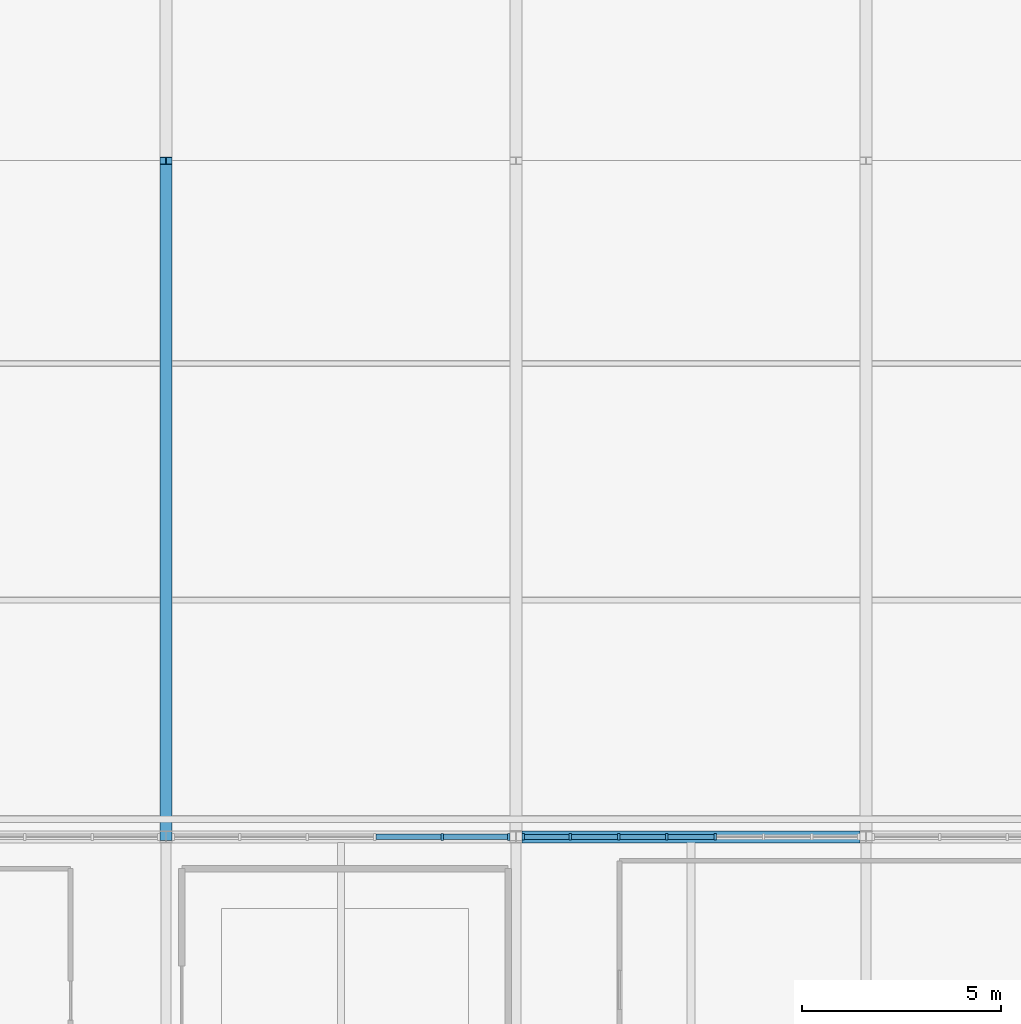
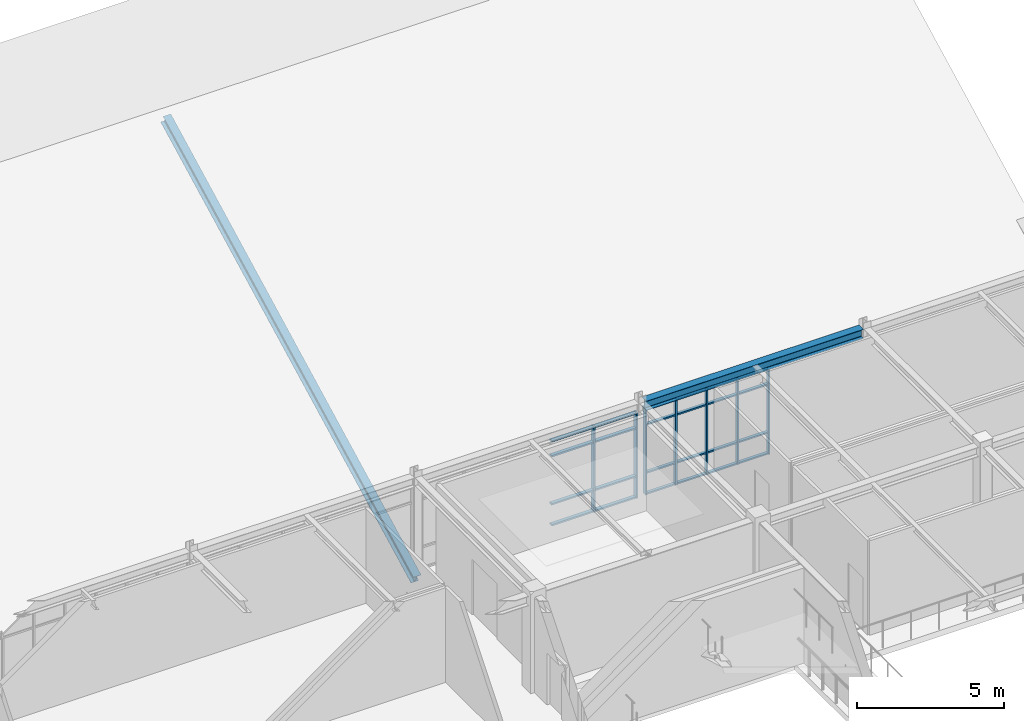
# One storey, part 17 of 45: 32 members, 1 beam, 2 elements without a shape of their own.
"""IFC4 building model written with IfcOpenShell, lengths in metres."""

from ifc_helpers import new_model, si_unit, direction, frame, origin, origin_2d, place, context, subcontext, project, spatial, rectangle, i_section, extrude, material, material_profile, profile_set, type_object, element, aggregate, save


model = new_model("IFC4")

# Units and contexts
model_context = context("Model", 3, precision=1e-05, world=origin(), true_north=direction((0.0, 1.0)))
body_context = subcontext(model_context, "Body", "Model", "MODEL_VIEW")
ifc_project = project(units=[si_unit("LENGTHUNIT", "METRE"), si_unit("AREAUNIT", "SQUARE_METRE"), si_unit("VOLUMEUNIT", "CUBIC_METRE"), si_unit("PLANEANGLEUNIT", "RADIAN"), si_unit("MASSUNIT", "GRAM", prefix="KILO")], contexts=[model_context])

# Site, building, storey
site_placement = place(None, origin())
site = spatial("IfcSite", under=ifc_project, at=site_placement, CompositionType="ELEMENT")
building_placement = place(site_placement, origin())
building = spatial("IfcBuilding", under=site, at=building_placement, Name="Zhaolan Boulevard Law Courts", CompositionType="ELEMENT")
storey_placement = place(building_placement, frame((0.0, 0.0, 24.60009765625)))
storey = spatial("IfcBuildingStorey", under=building, at=storey_placement, Name="L05", CompositionType="ELEMENT", Elevation=24.60009765625)

# Curtain wall, members
ifc_material_1 = material(Name="Thermally broken aluminium and low-E glazing", Category="aluminium")
curtain_wall_type_1 = type_object("IfcCurtainWallType", Name="CURTAIN WALL M18", PredefinedType="USERDEFINED", material=ifc_material_1)
curtain_wall_1_placement = place(storey_placement, origin())
curtain_wall_1 = element("IfcCurtainWall", 1, at=curtain_wall_1_placement, inside=storey, type_object=curtain_wall_type_1, Name="Curtain Wall CW-L05-210", ObjectType="CURTAIN WALL", PredefinedType="USERDEFINED")
ifc_material_2 = material(Name="Fluorocarbon-coated aluminium 6063-T6", Category="aluminium")
ifc_material_profile_1 = material_profile(ifc_material_2, rectangle(XDim=0.159912109375, YDim=0.06005859375, at=origin_2d()), Name="AL60x160")
ifc_profile_set_1 = profile_set([ifc_material_profile_1], Name="Fluorocarbon-coated aluminium 6063-T6")
member_type_1 = type_object("IfcMemberType", Name="CWMULLION 60X160", PredefinedType="MULLION", material=ifc_profile_set_1)
member_1_placement = place(storey_placement, frame((31.40673828125, 78.0, 0.0), z_axis=(0.0, 0.0, 1.0), x_axis=(0.0, -1.0, 0.0)))
member_1 = element("IfcMember", 2, at=member_1_placement, type_object=member_type_1, Name="CW-L05-210 mullion 4", PredefinedType="MULLION", context=body_context, shape_type="SweptSolid", body=[
    extrude(rectangle(XDim=0.159912109375, YDim=0.06005859375, at=origin_2d()), origin(), (0.0, 0.0, 1.0), 3.54296875),
])
member_2_placement = place(storey_placement, frame((30.193115234375, 78.0, 0.0), z_axis=(0.0, 0.0, 1.0), x_axis=(0.0, -1.0, 0.0)))
member_2 = element("IfcMember", 3, at=member_2_placement, type_object=member_type_1, Name="CW-L05-210 mullion 5", PredefinedType="MULLION", context=body_context, shape_type="SweptSolid", body=[
    extrude(rectangle(XDim=0.159912109375, YDim=0.06005859375, at=origin_2d()), origin(), (0.0, 0.0, 1.0), 3.54296875),
])
member_3_placement = place(storey_placement, frame((28.9794921875, 78.0, 0.0), z_axis=(0.0, 0.0, 1.0), x_axis=(0.0, -1.0, 0.0)))
member_3 = element("IfcMember", 4, at=member_3_placement, type_object=member_type_1, Name="CW-L05-210 mullion 6", PredefinedType="MULLION", context=body_context, shape_type="SweptSolid", body=[
    extrude(rectangle(XDim=0.159912109375, YDim=0.06005859375, at=origin_2d()), origin(), (0.0, 0.0, 1.0), 3.54296875),
])
member_4_placement = place(storey_placement, frame((27.765625, 78.0, 0.0), z_axis=(0.0, 0.0, 1.0), x_axis=(0.0, -1.0, 0.0)))
member_4 = element("IfcMember", 5, at=member_4_placement, type_object=member_type_1, Name="CW-L05-210 mullion 7", PredefinedType="MULLION", context=body_context, shape_type="SweptSolid", body=[
    extrude(rectangle(XDim=0.159912109375, YDim=0.06005859375, at=origin_2d()), origin(), (0.0, 0.0, 1.0), 3.54296875),
])
member_5_placement = place(storey_placement, frame((26.58203125, 78.0, 0.0), z_axis=(0.0, 0.0, 1.0), x_axis=(0.0, -1.0, 0.0)))
member_5 = element("IfcMember", 6, at=member_5_placement, type_object=member_type_1, Name="CW-L05-210 mullion 8", PredefinedType="MULLION", context=body_context, shape_type="SweptSolid", body=[
    extrude(rectangle(XDim=0.159912109375, YDim=0.06005859375, at=origin_2d()), origin(), (0.0, 0.0, 1.0), 3.54296875),
])

ifc_material_3 = material(Name="Thermally broken aluminium and low-E glazing", Category="aluminium")
curtain_wall_type_2 = type_object("IfcCurtainWallType", Name="CURTAIN WALL M17", PredefinedType="USERDEFINED", material=ifc_material_3)
curtain_wall_2_placement = place(storey_placement, origin())
curtain_wall_2 = element("IfcCurtainWall", 7, at=curtain_wall_2_placement, inside=storey, type_object=curtain_wall_type_2, Name="Curtain Wall CW-L05-209", ObjectType="CURTAIN WALL", PredefinedType="USERDEFINED")
ifc_material_4 = material(Name="Fluorocarbon-coated aluminium 6063-T6", Category="aluminium")
ifc_material_profile_2 = material_profile(ifc_material_4, rectangle(XDim=0.179931640625, YDim=0.06494140625, at=origin_2d()), Name="AL65x180")
ifc_profile_set_2 = profile_set([ifc_material_profile_2], Name="Fluorocarbon-coated aluminium 6063-T6")
member_type_2 = type_object("IfcMemberType", Name="CWMULLION 65X180", PredefinedType="MULLION", material=ifc_profile_set_2)
member_6_placement = place(storey_placement, frame((26.215576171875, 78.0, 0.0), z_axis=(0.0, 0.0, 1.0), x_axis=(0.0, -1.0, 0.0)))
member_6 = element("IfcMember", 8, at=member_6_placement, type_object=member_type_2, Name="CW-L05-209 mullion 1", PredefinedType="MULLION", context=body_context, shape_type="SweptSolid", body=[
    extrude(rectangle(XDim=0.179931640625, YDim=0.06494140625, at=origin_2d()), origin(), (0.0, 0.0, 1.0), 3.54296875),
])
member_7_placement = place(storey_placement, frame((24.548828125, 78.0, 0.0), z_axis=(0.0, 0.0, 1.0), x_axis=(0.0, -1.0, 0.0)))
member_7 = element("IfcMember", 9, at=member_7_placement, type_object=member_type_2, Name="CW-L05-209 mullion 2", PredefinedType="MULLION", context=body_context, shape_type="SweptSolid", body=[
    extrude(rectangle(XDim=0.179931640625, YDim=0.06494140625, at=origin_2d()), origin(), (0.0, 0.0, 1.0), 3.54296875),
])

# Member
ifc_material_5 = material(Name="Fluorocarbon-coated aluminium 6063-T6", Category="aluminium")
ifc_material_profile_3 = material_profile(ifc_material_5, rectangle(XDim=0.1201171875, YDim=0.06005859375, at=origin_2d()), Name="AL60x120")
ifc_profile_set_3 = profile_set([ifc_material_profile_3], Name="Fluorocarbon-coated aluminium 6063-T6")
member_type_3 = type_object("IfcMemberType", Name="CWTRANSOM 60X120", PredefinedType="USERDEFINED", material=ifc_profile_set_3)
member_8_placement = place(storey_placement, frame((31.376953125, 78.0, 0.02978515625), z_axis=(-1.0, 0.0, 0.0), x_axis=(0.0, -1.0, 0.0)))
member_8 = element("IfcMember", 10, at=member_8_placement, type_object=member_type_3, Name="CW-L05-210 transom 4.1", ObjectType="TRANSOM", PredefinedType="USERDEFINED", context=body_context, shape_type="SweptSolid", body=[
    extrude(rectangle(XDim=0.1201171875, YDim=0.06005859375, at=origin_2d()), origin(), (0.0, 0.0, 1.0), 1.15380859375),
])

member_9_placement = place(storey_placement, frame((31.376953125, 78.0, 0.89990234375), z_axis=(-1.0, 0.0, 0.0), x_axis=(0.0, -1.0, 0.0)))
member_9 = element("IfcMember", 11, at=member_9_placement, type_object=member_type_3, Name="CW-L05-210 transom 4.2", ObjectType="TRANSOM", PredefinedType="USERDEFINED", context=body_context, shape_type="SweptSolid", body=[
    extrude(rectangle(XDim=0.1201171875, YDim=0.06005859375, at=origin_2d()), origin(), (0.0, 0.0, 1.0), 1.15380859375),
])

member_10_placement = place(storey_placement, frame((31.376953125, 78.0, 2.892822265625), z_axis=(-1.0, 0.0, 0.0), x_axis=(0.0, -1.0, 0.0)))
member_10 = element("IfcMember", 12, at=member_10_placement, type_object=member_type_3, Name="CW-L05-210 transom 4.3", ObjectType="TRANSOM", PredefinedType="USERDEFINED", context=body_context, shape_type="SweptSolid", body=[
    extrude(rectangle(XDim=0.1201171875, YDim=0.06005859375, at=origin_2d()), origin(), (0.0, 0.0, 1.0), 1.15380859375),
])

member_11_placement = place(storey_placement, frame((31.376953125, 78.0, 3.512939453125), z_axis=(-1.0, 0.0, 0.0), x_axis=(0.0, -1.0, 0.0)))
member_11 = element("IfcMember", 13, at=member_11_placement, type_object=member_type_3, Name="CW-L05-210 transom 4.4", ObjectType="TRANSOM", PredefinedType="USERDEFINED", context=body_context, shape_type="SweptSolid", body=[
    extrude(rectangle(XDim=0.1201171875, YDim=0.06005859375, at=origin_2d()), origin(), (0.0, 0.0, 1.0), 1.15380859375),
])

member_12_placement = place(storey_placement, frame((30.1630859375, 78.0, 0.02978515625), z_axis=(-1.0, 0.0, 0.0), x_axis=(0.0, -1.0, 0.0)))
member_12 = element("IfcMember", 14, at=member_12_placement, type_object=member_type_3, Name="CW-L05-210 transom 5.1", ObjectType="TRANSOM", PredefinedType="USERDEFINED", context=body_context, shape_type="SweptSolid", body=[
    extrude(rectangle(XDim=0.1201171875, YDim=0.06005859375, at=origin_2d()), origin(), (0.0, 0.0, 1.0), 1.153564453125),
])

member_13_placement = place(storey_placement, frame((30.1630859375, 78.0, 0.89990234375), z_axis=(-1.0, 0.0, 0.0), x_axis=(0.0, -1.0, 0.0)))
member_13 = element("IfcMember", 15, at=member_13_placement, type_object=member_type_3, Name="CW-L05-210 transom 5.2", ObjectType="TRANSOM", PredefinedType="USERDEFINED", context=body_context, shape_type="SweptSolid", body=[
    extrude(rectangle(XDim=0.1201171875, YDim=0.06005859375, at=origin_2d()), origin(), (0.0, 0.0, 1.0), 1.153564453125),
])

member_14_placement = place(storey_placement, frame((30.1630859375, 78.0, 2.892822265625), z_axis=(-1.0, 0.0, 0.0), x_axis=(0.0, -1.0, 0.0)))
member_14 = element("IfcMember", 16, at=member_14_placement, type_object=member_type_3, Name="CW-L05-210 transom 5.3", ObjectType="TRANSOM", PredefinedType="USERDEFINED", context=body_context, shape_type="SweptSolid", body=[
    extrude(rectangle(XDim=0.1201171875, YDim=0.06005859375, at=origin_2d()), origin(), (0.0, 0.0, 1.0), 1.153564453125),
])

member_15_placement = place(storey_placement, frame((30.1630859375, 78.0, 3.512939453125), z_axis=(-1.0, 0.0, 0.0), x_axis=(0.0, -1.0, 0.0)))
member_15 = element("IfcMember", 17, at=member_15_placement, type_object=member_type_3, Name="CW-L05-210 transom 5.4", ObjectType="TRANSOM", PredefinedType="USERDEFINED", context=body_context, shape_type="SweptSolid", body=[
    extrude(rectangle(XDim=0.1201171875, YDim=0.06005859375, at=origin_2d()), origin(), (0.0, 0.0, 1.0), 1.153564453125),
])

member_16_placement = place(storey_placement, frame((28.949462890625, 78.0, 0.02978515625), z_axis=(-1.0, 0.0, 0.0), x_axis=(0.0, -1.0, 0.0)))
member_16 = element("IfcMember", 18, at=member_16_placement, type_object=member_type_3, Name="CW-L05-210 transom 6.1", ObjectType="TRANSOM", PredefinedType="USERDEFINED", context=body_context, shape_type="SweptSolid", body=[
    extrude(rectangle(XDim=0.1201171875, YDim=0.06005859375, at=origin_2d()), origin(), (0.0, 0.0, 1.0), 1.15380859375),
])

member_17_placement = place(storey_placement, frame((28.949462890625, 78.0, 0.89990234375), z_axis=(-1.0, 0.0, 0.0), x_axis=(0.0, -1.0, 0.0)))
member_17 = element("IfcMember", 19, at=member_17_placement, type_object=member_type_3, Name="CW-L05-210 transom 6.2", ObjectType="TRANSOM", PredefinedType="USERDEFINED", context=body_context, shape_type="SweptSolid", body=[
    extrude(rectangle(XDim=0.1201171875, YDim=0.06005859375, at=origin_2d()), origin(), (0.0, 0.0, 1.0), 1.15380859375),
])

member_18_placement = place(storey_placement, frame((28.949462890625, 78.0, 2.892822265625), z_axis=(-1.0, 0.0, 0.0), x_axis=(0.0, -1.0, 0.0)))
member_18 = element("IfcMember", 20, at=member_18_placement, type_object=member_type_3, Name="CW-L05-210 transom 6.3", ObjectType="TRANSOM", PredefinedType="USERDEFINED", context=body_context, shape_type="SweptSolid", body=[
    extrude(rectangle(XDim=0.1201171875, YDim=0.06005859375, at=origin_2d()), origin(), (0.0, 0.0, 1.0), 1.15380859375),
])

member_19_placement = place(storey_placement, frame((28.949462890625, 78.0, 3.512939453125), z_axis=(-1.0, 0.0, 0.0), x_axis=(0.0, -1.0, 0.0)))
member_19 = element("IfcMember", 21, at=member_19_placement, type_object=member_type_3, Name="CW-L05-210 transom 6.4", ObjectType="TRANSOM", PredefinedType="USERDEFINED", context=body_context, shape_type="SweptSolid", body=[
    extrude(rectangle(XDim=0.1201171875, YDim=0.06005859375, at=origin_2d()), origin(), (0.0, 0.0, 1.0), 1.15380859375),
])

member_20_placement = place(storey_placement, frame((27.735595703125, 78.0, 0.02978515625), z_axis=(-1.0, 0.0, 0.0), x_axis=(0.0, -1.0, 0.0)))
member_20 = element("IfcMember", 22, at=member_20_placement, type_object=member_type_3, Name="CW-L05-210 transom 7.1", ObjectType="TRANSOM", PredefinedType="USERDEFINED", context=body_context, shape_type="SweptSolid", body=[
    extrude(rectangle(XDim=0.1201171875, YDim=0.06005859375, at=origin_2d()), origin(), (0.0, 0.0, 1.0), 1.12353515625),
])

member_21_placement = place(storey_placement, frame((27.735595703125, 78.0, 0.89990234375), z_axis=(-1.0, 0.0, 0.0), x_axis=(0.0, -1.0, 0.0)))
member_21 = element("IfcMember", 23, at=member_21_placement, type_object=member_type_3, Name="CW-L05-210 transom 7.2", ObjectType="TRANSOM", PredefinedType="USERDEFINED", context=body_context, shape_type="SweptSolid", body=[
    extrude(rectangle(XDim=0.1201171875, YDim=0.06005859375, at=origin_2d()), origin(), (0.0, 0.0, 1.0), 1.12353515625),
])

member_22_placement = place(storey_placement, frame((27.735595703125, 78.0, 2.892822265625), z_axis=(-1.0, 0.0, 0.0), x_axis=(0.0, -1.0, 0.0)))
member_22 = element("IfcMember", 24, at=member_22_placement, type_object=member_type_3, Name="CW-L05-210 transom 7.3", ObjectType="TRANSOM", PredefinedType="USERDEFINED", context=body_context, shape_type="SweptSolid", body=[
    extrude(rectangle(XDim=0.1201171875, YDim=0.06005859375, at=origin_2d()), origin(), (0.0, 0.0, 1.0), 1.12353515625),
])

member_23_placement = place(storey_placement, frame((27.735595703125, 78.0, 3.512939453125), z_axis=(-1.0, 0.0, 0.0), x_axis=(0.0, -1.0, 0.0)))
member_23 = element("IfcMember", 25, at=member_23_placement, type_object=member_type_3, Name="CW-L05-210 transom 7.4", ObjectType="TRANSOM", PredefinedType="USERDEFINED", context=body_context, shape_type="SweptSolid", body=[
    extrude(rectangle(XDim=0.1201171875, YDim=0.06005859375, at=origin_2d()), origin(), (0.0, 0.0, 1.0), 1.12353515625),
])

aggregate(curtain_wall_1, [member_1, member_2, member_3, member_4, member_5, member_8, member_9, member_10, member_11, member_12, member_13, member_14, member_15, member_16, member_17, member_18, member_19, member_20, member_21, member_22, member_23])

ifc_material_6 = material(Name="Fluorocarbon-coated aluminium 6063-T6", Category="aluminium")
ifc_material_profile_4 = material_profile(ifc_material_6, rectangle(XDim=0.139892578125, YDim=0.06494140625, at=origin_2d()), Name="AL65x140")
ifc_profile_set_4 = profile_set([ifc_material_profile_4], Name="Fluorocarbon-coated aluminium 6063-T6")
member_type_4 = type_object("IfcMemberType", Name="CWTRANSOM 65X140", PredefinedType="USERDEFINED", material=ifc_profile_set_4)
member_24_placement = place(storey_placement, frame((26.18310546875, 78.0, 0.032470703125), z_axis=(-1.0, 0.0, 0.0), x_axis=(0.0, -1.0, 0.0)))
member_24 = element("IfcMember", 26, at=member_24_placement, type_object=member_type_4, Name="CW-L05-209 transom 1.1", ObjectType="TRANSOM", PredefinedType="USERDEFINED", context=body_context, shape_type="SweptSolid", body=[
    extrude(rectangle(XDim=0.139892578125, YDim=0.06494140625, at=origin_2d()), origin(), (0.0, 0.0, 1.0), 1.601806640625),
])

member_25_placement = place(storey_placement, frame((26.18310546875, 78.0, 0.89990234375), z_axis=(-1.0, 0.0, 0.0), x_axis=(0.0, -1.0, 0.0)))
member_25 = element("IfcMember", 27, at=member_25_placement, type_object=member_type_4, Name="CW-L05-209 transom 1.2", ObjectType="TRANSOM", PredefinedType="USERDEFINED", context=body_context, shape_type="SweptSolid", body=[
    extrude(rectangle(XDim=0.139892578125, YDim=0.06494140625, at=origin_2d()), origin(), (0.0, 0.0, 1.0), 1.601806640625),
])

member_26_placement = place(storey_placement, frame((26.18310546875, 78.0, 2.892822265625), z_axis=(-1.0, 0.0, 0.0), x_axis=(0.0, -1.0, 0.0)))
member_26 = element("IfcMember", 28, at=member_26_placement, type_object=member_type_4, Name="CW-L05-209 transom 1.3", ObjectType="TRANSOM", PredefinedType="USERDEFINED", context=body_context, shape_type="SweptSolid", body=[
    extrude(rectangle(XDim=0.139892578125, YDim=0.06494140625, at=origin_2d()), origin(), (0.0, 0.0, 1.0), 1.601806640625),
])

member_27_placement = place(storey_placement, frame((26.18310546875, 78.0, 3.510498046875), z_axis=(-1.0, 0.0, 0.0), x_axis=(0.0, -1.0, 0.0)))
member_27 = element("IfcMember", 29, at=member_27_placement, type_object=member_type_4, Name="CW-L05-209 transom 1.4", ObjectType="TRANSOM", PredefinedType="USERDEFINED", context=body_context, shape_type="SweptSolid", body=[
    extrude(rectangle(XDim=0.139892578125, YDim=0.06494140625, at=origin_2d()), origin(), (0.0, 0.0, 1.0), 1.601806640625),
])

member_28_placement = place(storey_placement, frame((24.516357421875, 78.0, 0.032470703125), z_axis=(-1.0, 0.0, 0.0), x_axis=(0.0, -1.0, 0.0)))
member_28 = element("IfcMember", 30, at=member_28_placement, type_object=member_type_4, Name="CW-L05-209 transom 2.1", ObjectType="TRANSOM", PredefinedType="USERDEFINED", context=body_context, shape_type="SweptSolid", body=[
    extrude(rectangle(XDim=0.139892578125, YDim=0.06494140625, at=origin_2d()), origin(), (0.0, 0.0, 1.0), 1.63427734375),
])

member_29_placement = place(storey_placement, frame((24.516357421875, 78.0, 0.89990234375), z_axis=(-1.0, 0.0, 0.0), x_axis=(0.0, -1.0, 0.0)))
member_29 = element("IfcMember", 31, at=member_29_placement, type_object=member_type_4, Name="CW-L05-209 transom 2.2", ObjectType="TRANSOM", PredefinedType="USERDEFINED", context=body_context, shape_type="SweptSolid", body=[
    extrude(rectangle(XDim=0.139892578125, YDim=0.06494140625, at=origin_2d()), origin(), (0.0, 0.0, 1.0), 1.63427734375),
])

member_30_placement = place(storey_placement, frame((24.516357421875, 78.0, 2.892822265625), z_axis=(-1.0, 0.0, 0.0), x_axis=(0.0, -1.0, 0.0)))
member_30 = element("IfcMember", 32, at=member_30_placement, type_object=member_type_4, Name="CW-L05-209 transom 2.3", ObjectType="TRANSOM", PredefinedType="USERDEFINED", context=body_context, shape_type="SweptSolid", body=[
    extrude(rectangle(XDim=0.139892578125, YDim=0.06494140625, at=origin_2d()), origin(), (0.0, 0.0, 1.0), 1.63427734375),
])

member_31_placement = place(storey_placement, frame((24.516357421875, 78.0, 3.510498046875), z_axis=(-1.0, 0.0, 0.0), x_axis=(0.0, -1.0, 0.0)))
member_31 = element("IfcMember", 33, at=member_31_placement, type_object=member_type_4, Name="CW-L05-209 transom 2.4", ObjectType="TRANSOM", PredefinedType="USERDEFINED", context=body_context, shape_type="SweptSolid", body=[
    extrude(rectangle(XDim=0.139892578125, YDim=0.06494140625, at=origin_2d()), origin(), (0.0, 0.0, 1.0), 1.63427734375),
])

aggregate(curtain_wall_2, [member_6, member_7, member_24, member_25, member_26, member_27, member_28, member_29, member_30, member_31])

# Beam
ifc_material_7 = material(Name="Structural steel Q355B", Category="steel")
ifc_material_profile_5 = material_profile(ifc_material_7, i_section(OverallWidth=0.300048828125, OverallDepth=0.389892578125, WebThickness=0.010009765625, FlangeThickness=0.01611328125, FilletRadius=0.01806640625, at=origin_2d()), Name="HM390x300")
ifc_profile_set_5 = profile_set([ifc_material_profile_5], Name="Structural steel Q355B")
beam_type = type_object("IfcBeamType", Name="GIRDER HM390", PredefinedType="BEAM", material=ifc_profile_set_5)
beam_placement = place(storey_placement, frame((26.5458984375, 78.0, 3.7529296875), z_axis=(1.0, 0.0, 0.0), x_axis=(0.0, 1.0, 0.0)))
element("IfcBeam", 34, at=beam_placement, inside=storey, type_object=beam_type, Name="Beam BX-L06-4-5-L", PredefinedType="BEAM", context=body_context, shape_type="SweptSolid", body=[
    extrude(i_section(OverallWidth=0.300048828125, OverallDepth=0.389892578125, WebThickness=0.010009765625, FlangeThickness=0.01611328125, FilletRadius=0.01806640625, at=origin_2d()), origin(), (0.0, 0.0, 1.0), 8.508056640625),
])

# Member
ifc_material_8 = material(Name="Structural steel Q355B", Category="steel")
ifc_material_profile_6 = material_profile(ifc_material_8, i_section(OverallWidth=0.300048828125, OverallDepth=0.389892578125, WebThickness=0.010009765625, FlangeThickness=0.01611328125, FilletRadius=0.01806640625, at=origin_2d()), Name="HM390x300")
ifc_profile_set_6 = profile_set([ifc_material_profile_6], Name="Structural steel Q355B")
member_type_5 = type_object("IfcMemberType", Name="RAFTER HM390", PredefinedType="RAFTER", material=ifc_profile_set_6)
member_32_placement = place(storey_placement, frame((17.60009765625, 78.0, -0.379150390625), z_axis=(0.0, 0.888069541, 0.459709136681), x_axis=(-1.0, 0.0, 0.0)))
element("IfcMember", 35, at=member_32_placement, inside=storey, type_object=member_type_5, Name="Law Library Rafter LRF-S", PredefinedType="RAFTER", context=body_context, shape_type="SweptSolid", body=[
    extrude(i_section(OverallWidth=0.300048828125, OverallDepth=0.389892578125, WebThickness=0.010009765625, FlangeThickness=0.01611328125, FilletRadius=0.01806640625, at=origin_2d()), origin(), (0.0, 0.0, 1.0), 19.142578125),
])

save(model, "model.ifc")
